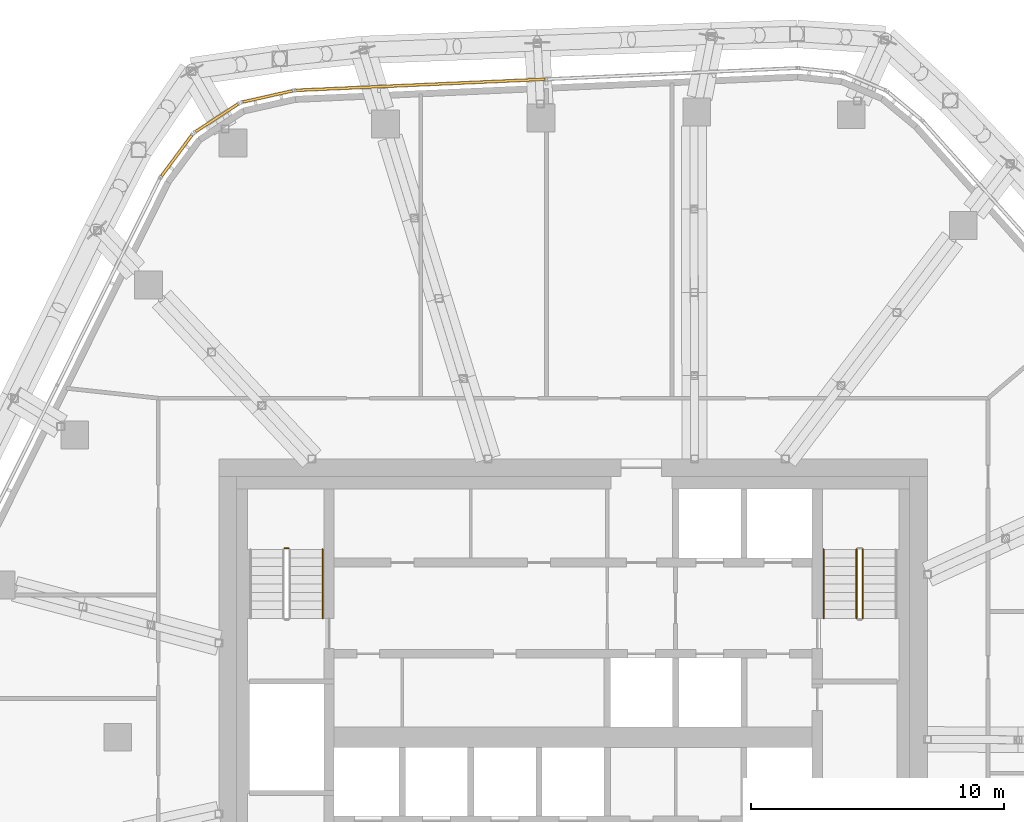
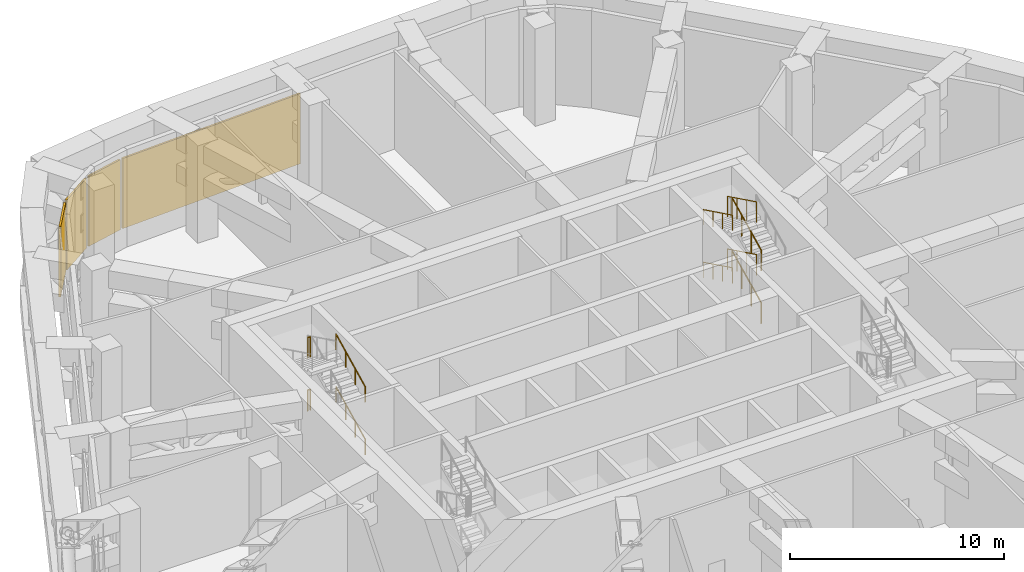
# One storey, part 29 of 31: 10 railings, 4 coverings, 2 elements without a shape of their own.
"""IFC4 building model written with IfcOpenShell, lengths in metres."""

from ifc_helpers import new_model, si_unit, direction, frame, origin, origin_2d, place, context, subcontext, project, spatial, rectangle, circle, extrude, material, layer, layer_set, type_object, element, aggregate, save


model = new_model("IFC4")

# Units and contexts
model_context = context("Model", 3, precision=1e-05, world=origin(), true_north=direction((0.0, 1.0)))
body_context = subcontext(model_context, "Body", "Model", "MODEL_VIEW")
ifc_project = project(units=[si_unit("LENGTHUNIT", "METRE"), si_unit("AREAUNIT", "SQUARE_METRE"), si_unit("VOLUMEUNIT", "CUBIC_METRE"), si_unit("PLANEANGLEUNIT", "RADIAN"), si_unit("MASSUNIT", "GRAM", prefix="KILO")], contexts=[model_context])

# Site, building, storey
site_placement = place(None, origin())
site = spatial("IfcSite", under=ifc_project, at=site_placement, CompositionType="ELEMENT")
building_placement = place(site_placement, origin())
building = spatial("IfcBuilding", under=site, at=building_placement, Name="Dongbaek Canopy Tower", CompositionType="ELEMENT")
storey_placement = place(building_placement, frame((0.0, 0.0, 283.199951171875)))
storey = spatial("IfcBuildingStorey", under=building, at=storey_placement, Name="L60", CompositionType="ELEMENT", Elevation=283.199951171875)

# Curtain wall, covering
ifc_material_1 = material(Name="Aluminium 6063-T6 pale anodised", Category="aluminium")
ifc_layer_1 = layer(ifc_material_1, 0.14990234375)
ifc_layer_set_1 = layer_set([ifc_layer_1], Name="CW-7 louvre curtain wall")
curtain_wall_type = type_object("IfcCurtainWallType", Name="CW-7 louvre curtain wall", PredefinedType="NOTDEFINED", material=ifc_layer_set_1)
curtain_wall_1_placement = place(storey_placement, origin())
curtain_wall_1 = element("IfcCurtainWall", 1, at=curtain_wall_1_placement, inside=storey, type_object=curtain_wall_type, Name="CW-7 louvre wall L60 F1", PredefinedType="NOTDEFINED")
ifc_material_2 = material(Name="Aluminium 6063-T6 pale metal louvre blades", Category="aluminium")
ifc_layer_2 = layer(ifc_material_2, 0.10009765625)
ifc_layer_set_2 = layer_set([ifc_layer_2], Name="Louvre LV bank 100 x 4000")
covering_type = type_object("IfcCoveringType", Name="Louvre LV bank 100 x 4000", PredefinedType="CLADDING", material=ifc_layer_set_2)
covering_1_placement = place(storey_placement, frame((-6.030517578125, 25.785888671875, 0.775146484375), z_axis=(0.0, 0.0, 1.0), x_axis=(-0.999013132127, -0.044415783654, 0.0)))
covering_1 = element("IfcCovering", 2, at=covering_1_placement, type_object=covering_type, Name="Louvre L60 F1.1.2", PredefinedType="CLADDING", context=body_context, shape_type="SweptSolid", body=[
    extrude(rectangle(XDim=9.846923828125, YDim=0.10009765625, at=origin_2d()), origin(), (0.0, 0.0, 1.0), 4.0),
])
aggregate(curtain_wall_1, [covering_1])

# Curtain wall, coverings
curtain_wall_2_placement = place(storey_placement, origin())
curtain_wall_2 = element("IfcCurtainWall", 3, at=curtain_wall_2_placement, inside=storey, type_object=curtain_wall_type, Name="CW-7 louvre wall L60 K2", PredefinedType="NOTDEFINED")
covering_2_placement = place(storey_placement, frame((-12.076171875, 25.32666015625, 0.775146484375), z_axis=(0.0, 0.0, 1.0), x_axis=(-0.975465773288, -0.22015114159, 0.0)))
covering_2 = element("IfcCovering", 4, at=covering_2_placement, type_object=covering_type, Name="Louvre L60 K2.1.1", PredefinedType="CLADDING", context=body_context, shape_type="SweptSolid", body=[
    extrude(rectangle(XDim=2.00244140625, YDim=0.10009765625, at=origin_2d()), origin(), (0.0, 0.0, 1.0), 4.0),
])
covering_3_placement = place(storey_placement, frame((-14.08349609375, 24.47998046875, 0.775146484375), z_axis=(0.0, 0.0, 1.0), x_axis=(-0.838077079617, -0.545551838618, 0.0)))
covering_3 = element("IfcCovering", 5, at=covering_3_placement, type_object=covering_type, Name="Louvre L60 K2.2.1", PredefinedType="CLADDING", context=body_context, shape_type="SweptSolid", body=[
    extrude(rectangle(XDim=1.993408203125, YDim=0.10009765625, at=origin_2d()), origin(), (0.0, 0.0, 1.0), 4.0),
])
covering_4_placement = place(storey_placement, frame((-15.67041015625, 22.987060546875, 0.775146484375), z_axis=(0.0, 0.0, 1.0), x_axis=(-0.596128827825, -0.80288879718, 0.0)))
covering_4 = element("IfcCovering", 6, at=covering_4_placement, type_object=covering_type, Name="Louvre L60 K2.3.1", PredefinedType="CLADDING", context=body_context, shape_type="SweptSolid", body=[
    extrude(rectangle(XDim=2.00244140625, YDim=0.10009765625, at=origin_2d()), origin(), (0.0, 0.0, 1.0), 4.0),
])
aggregate(curtain_wall_2, [covering_2, covering_3, covering_4])

# Railings
ifc_material_3 = material(Name="Stainless steel tube and balusters", Category="steel")
railing_type_1 = type_object("IfcRailingType", Name="Stair guard 1200", PredefinedType="GUARDRAIL", material=ifc_material_3)
railing_1_placement = place(storey_placement, frame((11.449951171875, 4.699951171875, 0.166748046875)))
element("IfcRailing", 7, at=railing_1_placement, inside=storey, type_object=railing_type_1, Name="L60 ST-A stair guard 1", PredefinedType="GUARDRAIL", context=body_context, shape_type="SweptSolid", body=[
    extrude(circle(Radius=0.02392578125, at=origin_2d()), frame((0.0, 0.0, 1.17578125), z_axis=(0.0, 0.897929466783, 0.4401393787), x_axis=(-1.0, 0.0, 0.0)), (0.0, 0.0, 1.0), 3.029052734375),
    extrude(circle(Radius=0.02099609375, at=origin_2d()), origin(), (0.0, 0.0, 1.0), 1.15185546875),
    extrude(circle(Radius=0.02099609375, at=origin_2d()), frame((0.0, 0.90673828125, 0.4443359375)), (0.0, 0.0, 1.0), 1.15185546875),
    extrude(circle(Radius=0.02099609375, at=origin_2d()), frame((0.0, 1.813232421875, 0.888916015625)), (0.0, 0.0, 1.0), 1.15185546875),
    extrude(circle(Radius=0.02099609375, at=origin_2d()), frame((0.0, 2.719970703125, 1.333251953125)), (0.0, 0.0, 1.0), 1.15185546875),
])
railing_2_placement = place(storey_placement, frame((11.199951171875, 7.419921875, 1.666748046875)))
element("IfcRailing", 8, at=railing_2_placement, inside=storey, type_object=railing_type_1, Name="L60 ST-A stair guard 3", PredefinedType="GUARDRAIL", context=body_context, shape_type="SweptSolid", body=[
    extrude(circle(Radius=0.02392578125, at=origin_2d()), frame((0.0, 0.0, 1.17578125), z_axis=(0.0, -0.897929466783, 0.4401393787), x_axis=(1.0, 0.0, 0.0)), (0.0, 0.0, 1.0), 3.029052734375),
    extrude(circle(Radius=0.02099609375, at=origin_2d()), origin(), (0.0, 0.0, 1.0), 1.15185546875),
    extrude(circle(Radius=0.02099609375, at=origin_2d()), frame((0.0, -0.90673828125, 0.4443359375)), (0.0, 0.0, 1.0), 1.15185546875),
    extrude(circle(Radius=0.02099609375, at=origin_2d()), frame((0.0, -1.813232421875, 0.888916015625)), (0.0, 0.0, 1.0), 1.15185546875),
    extrude(circle(Radius=0.02099609375, at=origin_2d()), frame((0.0, -2.719970703125, 1.333251953125)), (0.0, 0.0, 1.0), 1.15185546875),
])
railing_3_placement = place(storey_placement, frame((11.449951171875, 4.699951171875, 3.166748046875)))
element("IfcRailing", 9, at=railing_3_placement, inside=storey, type_object=railing_type_1, Name="L60 ST-A stair guard 5", PredefinedType="GUARDRAIL", context=body_context, shape_type="SweptSolid", body=[
    extrude(circle(Radius=0.02392578125, at=origin_2d()), frame((0.0, 0.0, 1.17578125), z_axis=(0.0, 0.897929466783, 0.4401393787), x_axis=(-1.0, 0.0, 0.0)), (0.0, 0.0, 1.0), 3.029052734375),
    extrude(circle(Radius=0.02099609375, at=origin_2d()), origin(), (0.0, 0.0, 1.0), 1.15185546875),
    extrude(circle(Radius=0.02099609375, at=origin_2d()), frame((0.0, 0.90673828125, 0.4443359375)), (0.0, 0.0, 1.0), 1.15185546875),
    extrude(circle(Radius=0.02099609375, at=origin_2d()), frame((0.0, 1.813232421875, 0.888916015625)), (0.0, 0.0, 1.0), 1.15185546875),
    extrude(circle(Radius=0.02099609375, at=origin_2d()), frame((0.0, 2.719970703125, 1.333251953125)), (0.0, 0.0, 1.0), 1.15185546875),
])
railing_4_placement = place(storey_placement, frame((11.199951171875, 7.419921875, 4.666748046875)))
element("IfcRailing", 10, at=railing_4_placement, inside=storey, type_object=railing_type_1, Name="L60 ST-A stair guard 7", PredefinedType="GUARDRAIL", context=body_context, shape_type="SweptSolid", body=[
    extrude(circle(Radius=0.02392578125, at=origin_2d()), frame((0.0, 0.0, 1.17578125), z_axis=(0.0, -0.897929466783, 0.4401393787), x_axis=(1.0, 0.0, 0.0)), (0.0, 0.0, 1.0), 3.029052734375),
    extrude(circle(Radius=0.02099609375, at=origin_2d()), origin(), (0.0, 0.0, 1.0), 1.15185546875),
    extrude(circle(Radius=0.02099609375, at=origin_2d()), frame((0.0, -0.90673828125, 0.4443359375)), (0.0, 0.0, 1.0), 1.15185546875),
    extrude(circle(Radius=0.02099609375, at=origin_2d()), frame((0.0, -1.813232421875, 0.888916015625)), (0.0, 0.0, 1.0), 1.15185546875),
    extrude(circle(Radius=0.02099609375, at=origin_2d()), frame((0.0, -2.719970703125, 1.333251953125)), (0.0, 0.0, 1.0), 1.15185546875),
])
for number, where, name in (
    (11, (-11.25, 7.469970703125, 1.5), "L60 ST-C stair guard 2"),
    (12, (-11.25, 7.469970703125, 4.5), "L60 ST-C stair guard 6"),
):
    element("IfcRailing", number, at=place(storey_placement, frame(where)), inside=storey, type_object=railing_type_1, Name=name, PredefinedType="GUARDRAIL", context=body_context, shape_type="SweptSolid", body=[
        extrude(circle(Radius=0.02392578125, at=origin_2d()), frame((0.0, 0.0, 1.17578125), z_axis=(-1.0, 0.0, 0.0), x_axis=(0.0, -1.0, 0.0)), (0.0, 0.0, 1.0), 0.14990234375),
        extrude(circle(Radius=0.02099609375, at=origin_2d()), origin(), (0.0, 0.0, 1.0), 1.15185546875),
        extrude(circle(Radius=0.02099609375, at=origin_2d()), frame((-0.14990234375, 0.0, 0.0)), (0.0, 0.0, 1.0), 1.15185546875),
    ])
ifc_material_4 = material(Name="Stainless steel tube", Category="steel")
railing_type_2 = type_object("IfcRailingType", Name="Stair handrail 900", PredefinedType="HANDRAIL", material=ifc_material_4)
for number, where, name in (
    (13, (9.89990234375, 7.419921875, 1.666748046875), "L60 ST-A stair handrail 2"),
    (14, (9.89990234375, 7.419921875, 4.666748046875), "L60 ST-A stair handrail 4"),
):
    element("IfcRailing", number, at=place(storey_placement, frame(where)), inside=storey, type_object=railing_type_2, Name=name, PredefinedType="HANDRAIL", context=body_context, shape_type="SweptSolid", body=[
        extrude(circle(Radius=0.02392578125, at=origin_2d()), frame((0.0, 0.0, 0.8759765625), z_axis=(0.0, -0.897929466783, 0.4401393787), x_axis=(1.0, 0.0, 0.0)), (0.0, 0.0, 1.0), 3.029052734375),
        extrude(circle(Radius=0.02099609375, at=origin_2d()), origin(), (0.0, 0.0, 1.0), 0.851806640625),
        extrude(circle(Radius=0.02099609375, at=origin_2d()), frame((0.0, -0.90673828125, 0.4443359375)), (0.0, 0.0, 1.0), 0.851806640625),
        extrude(circle(Radius=0.02099609375, at=origin_2d()), frame((0.0, -1.813232421875, 0.888916015625)), (0.0, 0.0, 1.0), 0.851806640625),
        extrude(circle(Radius=0.02099609375, at=origin_2d()), frame((0.0, -2.719970703125, 1.333251953125)), (0.0, 0.0, 1.0), 0.851806640625),
    ])
for number, where, name in (
    (15, (-9.89990234375, 4.699951171875, 0.166748046875), "L60 ST-C stair handrail 1"),
    (16, (-9.89990234375, 4.699951171875, 3.166748046875), "L60 ST-C stair handrail 3"),
):
    element("IfcRailing", number, at=place(storey_placement, frame(where)), inside=storey, type_object=railing_type_2, Name=name, PredefinedType="HANDRAIL", context=body_context, shape_type="SweptSolid", body=[
        extrude(circle(Radius=0.02392578125, at=origin_2d()), frame((0.0, 0.0, 0.8759765625), z_axis=(0.0, 0.897929466783, 0.4401393787), x_axis=(-1.0, 0.0, 0.0)), (0.0, 0.0, 1.0), 3.029052734375),
        extrude(circle(Radius=0.02099609375, at=origin_2d()), origin(), (0.0, 0.0, 1.0), 0.851806640625),
        extrude(circle(Radius=0.02099609375, at=origin_2d()), frame((0.0, 0.90673828125, 0.4443359375)), (0.0, 0.0, 1.0), 0.851806640625),
        extrude(circle(Radius=0.02099609375, at=origin_2d()), frame((0.0, 1.813232421875, 0.888916015625)), (0.0, 0.0, 1.0), 0.851806640625),
        extrude(circle(Radius=0.02099609375, at=origin_2d()), frame((0.0, 2.719970703125, 1.333251953125)), (0.0, 0.0, 1.0), 0.851806640625),
    ])

save(model, "model.ifc")
